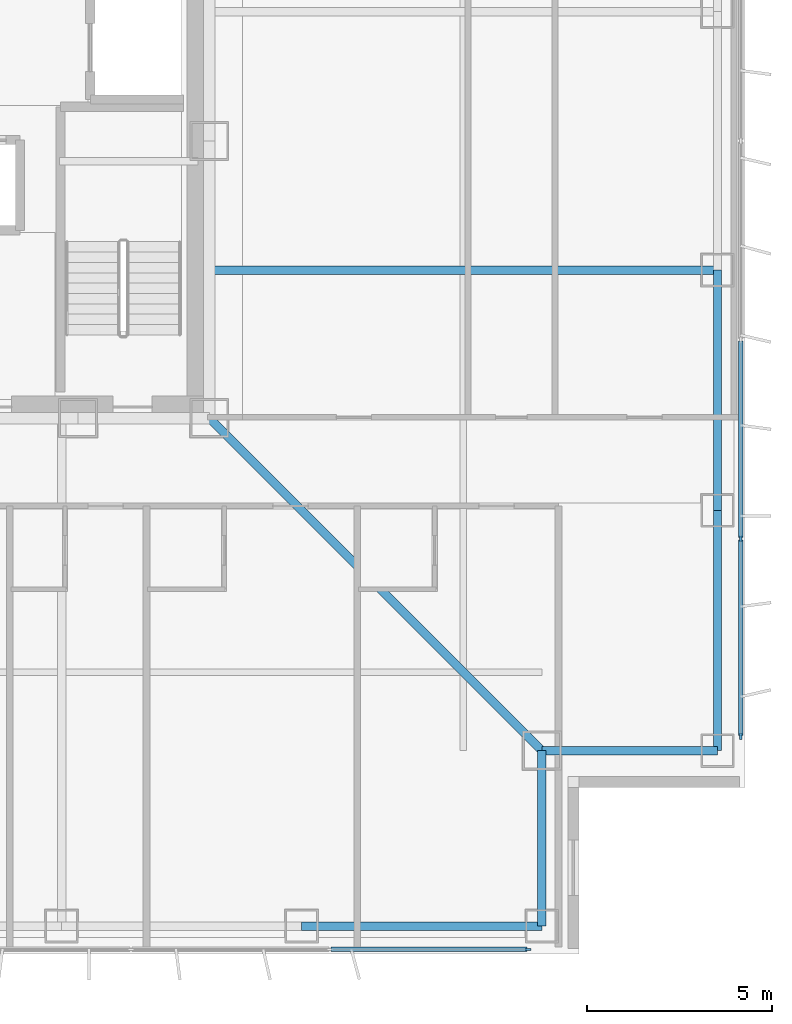
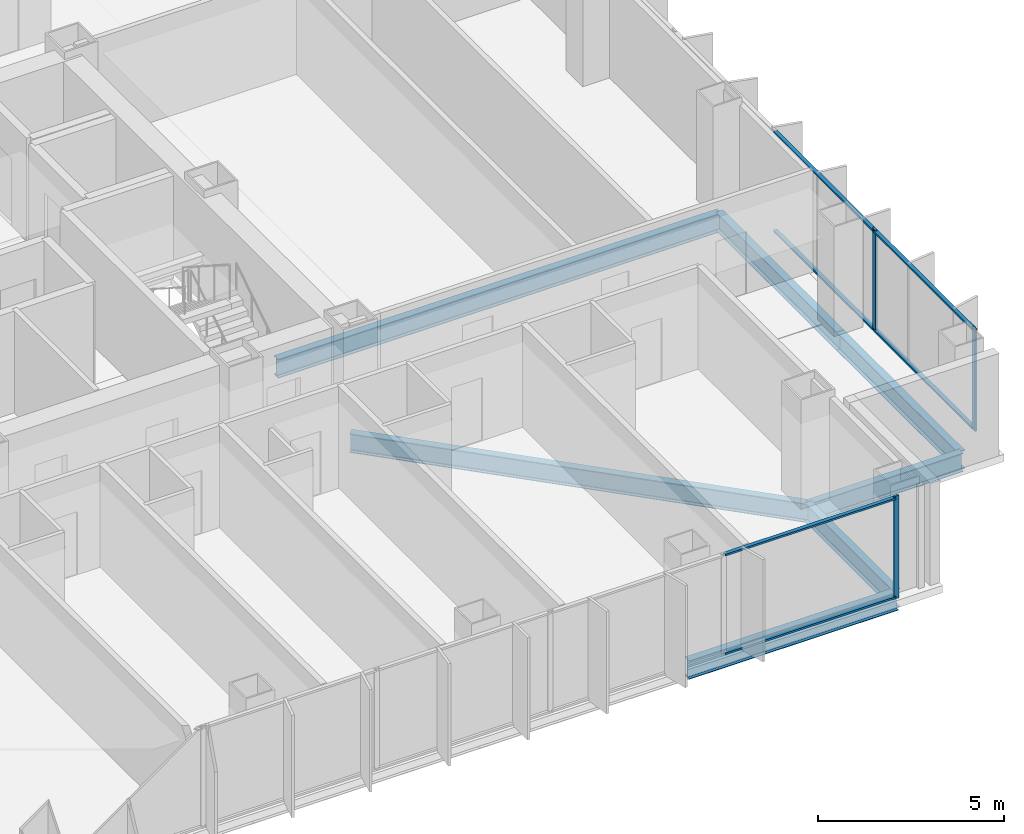
# One storey, part 7 of 18: 9 members, 7 beams, 2 elements without a shape of their own.
"""IFC4 building model written with IfcOpenShell, lengths in metres."""

from ifc_helpers import new_model, si_unit, direction, frame, origin, origin_2d, place, context, subcontext, project, spatial, rectangle, i_section, extrude, material, layer, layer_set, material_profile, profile_set, type_object, element, aggregate, save


model = new_model("IFC4")

# Units and contexts
model_context = context("Model", 3, precision=1e-05, world=origin(), true_north=direction((0.0, 1.0)))
body_context = subcontext(model_context, "Body", "Model", "MODEL_VIEW")
ifc_project = project(units=[si_unit("LENGTHUNIT", "METRE"), si_unit("AREAUNIT", "SQUARE_METRE"), si_unit("VOLUMEUNIT", "CUBIC_METRE"), si_unit("PLANEANGLEUNIT", "RADIAN"), si_unit("MASSUNIT", "GRAM", prefix="KILO")], contexts=[model_context])

# Site, building, storey
site_placement = place(None, origin())
site = spatial("IfcSite", under=ifc_project, at=site_placement, CompositionType="ELEMENT")
building_placement = place(site_placement, origin())
building = spatial("IfcBuilding", under=site, at=building_placement, Name="Trevonay Congress Spire", CompositionType="ELEMENT")
storey_placement = place(building_placement, frame((0.0, 0.0, 148.0)))
storey = spatial("IfcBuildingStorey", under=building, at=storey_placement, Name="L38", CompositionType="ELEMENT", Elevation=148.0)

# Beams
ifc_material_1 = material(Name="Steel ASTM A572 Grade 50", Category="steel")
ifc_material_profile_1 = material_profile(ifc_material_1, i_section(OverallWidth=0.22998046875, OverallDepth=0.616943359375, WebThickness=0.01318359375, FlangeThickness=0.022216796875, FilletRadius=0.01611328125, at=origin_2d()), Name="W610x140")
ifc_profile_set_1 = profile_set([ifc_material_profile_1], Name="Steel ASTM A572 Grade 50")
beam_type_1 = type_object("IfcBeamType", Name="BM-GIRD-W610X140", PredefinedType="BEAM", material=ifc_profile_set_1)
beam_1_placement = place(storey_placement, frame((7.5, -7.5, -0.548583984375), z_axis=(0.707106781187, -0.707106781187, 0.0), x_axis=(0.707106781187, 0.707106781187, 0.0)))
element("IfcBeam", 1, at=beam_1_placement, inside=storey, type_object=beam_type_1, Name="L38 structural beam BM-L38-CDSE", PredefinedType="BEAM", context=body_context, shape_type="SweptSolid", body=[
    extrude(i_section(OverallWidth=0.22998046875, OverallDepth=0.616943359375, WebThickness=0.01318359375, FlangeThickness=0.022216796875, FilletRadius=0.01611328125, at=origin_2d()), origin(), (0.0, 0.0, 1.0), 12.72802734375),
])
beam_2_placement = place(storey_placement, frame((7.5, -3.5, -0.548583984375), z_axis=(1.0, 0.0, 0.0), x_axis=(0.0, 1.0, 0.0)))
element("IfcBeam", 2, at=beam_2_placement, inside=storey, type_object=beam_type_1, Name="L38 structural beam BM-L38-GE-M", PredefinedType="BEAM", context=body_context, shape_type="SweptSolid", body=[
    extrude(i_section(OverallWidth=0.22998046875, OverallDepth=0.616943359375, WebThickness=0.01318359375, FlangeThickness=0.022216796875, FilletRadius=0.01611328125, at=origin_2d()), origin(), (0.0, 0.0, 1.0), 13.75),
])
ifc_material_profile_2 = material_profile(ifc_material_1, i_section(OverallWidth=0.22802734375, OverallDepth=0.60791015625, WebThickness=0.01123046875, FlangeThickness=0.017333984375, FilletRadius=0.01611328125, at=origin_2d()), Name="W610x113")
ifc_profile_set_2 = profile_set([ifc_material_profile_2], Name="Steel ASTM A572 Grade 50")
beam_type_2 = type_object("IfcBeamType", Name="BM-RING-W610X113", PredefinedType="BEAM", material=ifc_profile_set_2)
for number, where, z_axis, x_axis, name in (
    (3, (21.25, -16.5, -0.5439453125), (0.0, 1.0, 0.0), (-1.0, 0.0, 0.0), "L38 structural beam BM-L38-PE1"),
    (4, (21.25, -10.0, -0.5439453125), (0.0, 1.0, 0.0), (-1.0, 0.0, 0.0), "L38 structural beam BM-L38-PE2"),
    (5, (10.0, -21.25, -0.5439453125), (1.0, 0.0, 0.0), (0.0, 1.0, 0.0), "L38 structural beam BM-L38-PS5"),
):
    element("IfcBeam", number, at=place(storey_placement, frame(where, z_axis=z_axis, x_axis=x_axis)), inside=storey, type_object=beam_type_2, Name=name, PredefinedType="BEAM", context=body_context, shape_type="SweptSolid", body=[
        extrude(i_section(OverallWidth=0.22802734375, OverallDepth=0.60791015625, WebThickness=0.01123046875, FlangeThickness=0.017333984375, FilletRadius=0.01611328125, at=origin_2d()), origin(), (0.0, 0.0, 1.0), 6.5),
    ])
for number, where, z_axis, x_axis, name in (
    (6, (16.5, -21.25, -0.5439453125), (0.0, 1.0, 0.0), (-1.0, 0.0, 0.0), "L38 structural beam BM-L38-N1SE"),
    (7, (21.25, -16.5, -0.5439453125), (-1.0, 0.0, 0.0), (0.0, -1.0, 0.0), "L38 structural beam BM-L38-N2SE"),
):
    element("IfcBeam", number, at=place(storey_placement, frame(where, z_axis=z_axis, x_axis=x_axis)), inside=storey, type_object=beam_type_2, Name=name, PredefinedType="BEAM", context=body_context, shape_type="SweptSolid", body=[
        extrude(i_section(OverallWidth=0.22802734375, OverallDepth=0.60791015625, WebThickness=0.01123046875, FlangeThickness=0.017333984375, FilletRadius=0.01611328125, at=origin_2d()), origin(), (0.0, 0.0, 1.0), 4.75),
    ])

# Curtain wall, member
ifc_material_2 = material(Name="Pale Anodised Aluminium EN AW-6063-T6", Category="aluminium")
ifc_layer = layer(ifc_material_2, 0.175048828125, Name="Pale Anodised Aluminium EN AW-6063-T6")
ifc_layer_set = layer_set([ifc_layer], Name="Pale Anodised Aluminium EN AW-6063-T6")
curtain_wall_type = type_object("IfcCurtainWallType", Name="CW-SYS03-CONGRESS-PALE-METAL", PredefinedType="NOTDEFINED", material=ifc_layer_set)
curtain_wall_1_placement = place(storey_placement, origin())
curtain_wall_1 = element("IfcCurtainWall", 8, at=curtain_wall_1_placement, inside=storey, type_object=curtain_wall_type, Name="L38 S unitised curtain wall", PredefinedType="NOTDEFINED")
ifc_material_profile_3 = material_profile(ifc_material_2, rectangle(XDim=0.06005859375, YDim=0.159912109375, at=origin_2d()), Name="CW-MULLION-160-ALUMINIUM")
ifc_profile_set_3 = profile_set([ifc_material_profile_3], Name="Pale Anodised Aluminium EN AW-6063-T6")
member_type_1 = type_object("IfcMemberType", Name="CW-MULLION-160-ALUMINIUM", PredefinedType="MULLION", material=ifc_profile_set_3)
member_1_placement = place(storey_placement, frame((16.1201171875, -21.8798828125, 0.0), z_axis=(0.0, 0.0, 1.0), x_axis=(0.0, 1.0, 0.0)))
member_1 = element("IfcMember", 9, at=member_1_placement, type_object=member_type_1, Name="CW03 mullion 7", PredefinedType="MULLION", context=body_context, shape_type="SweptSolid", body=[
    extrude(rectangle(XDim=0.06005859375, YDim=0.159912109375, at=origin_2d()), origin(), (0.0, 0.0, 1.0), 3.360107421875),
])

# Curtain wall, members
curtain_wall_2_placement = place(storey_placement, origin())
curtain_wall_2 = element("IfcCurtainWall", 10, at=curtain_wall_2_placement, inside=storey, type_object=curtain_wall_type, Name="L38 E unitised curtain wall", PredefinedType="NOTDEFINED")
member_2_placement = place(storey_placement, frame((21.8798828125, -16.1201171875, 0.0), z_axis=(0.0, 0.0, 1.0), x_axis=(-1.0, 0.0, 0.0)))
member_2 = element("IfcMember", 11, at=member_2_placement, type_object=member_type_1, Name="CW03 mullion 1", PredefinedType="MULLION", context=body_context, shape_type="SweptSolid", body=[
    extrude(rectangle(XDim=0.06005859375, YDim=0.159912109375, at=origin_2d()), origin(), (0.0, 0.0, 1.0), 3.360107421875),
])
member_3_placement = place(storey_placement, frame((21.8798828125, -10.7666015625, 0.0), z_axis=(0.0, 0.0, 1.0), x_axis=(-1.0, 0.0, 0.0)))
member_3 = element("IfcMember", 12, at=member_3_placement, type_object=member_type_1, Name="CW03 mullion 2", PredefinedType="MULLION", context=body_context, shape_type="SweptSolid", body=[
    extrude(rectangle(XDim=0.06005859375, YDim=0.159912109375, at=origin_2d()), origin(), (0.0, 0.0, 1.0), 3.360107421875),
])

# Member
ifc_material_profile_4 = material_profile(ifc_material_2, rectangle(XDim=0.1201171875, YDim=0.06005859375, at=origin_2d()), Name="CW-TRANSOM-120-ALUMINIUM")
ifc_profile_set_4 = profile_set([ifc_material_profile_4], Name="Pale Anodised Aluminium EN AW-6063-T6")
member_type_2 = type_object("IfcMemberType", Name="CW-TRANSOM-120-ALUMINIUM", PredefinedType="USERDEFINED", material=ifc_profile_set_4)
member_4_placement = place(storey_placement, frame((10.796630859375, -21.8798828125, 0.06005859375), z_axis=(1.0, 0.0, 0.0), x_axis=(0.0, 1.0, 0.0)))
member_4 = element("IfcMember", 13, at=member_4_placement, type_object=member_type_2, Name="CW03 transom 6.1", ObjectType="TRANSOM", PredefinedType="USERDEFINED", context=body_context, shape_type="SweptSolid", body=[
    extrude(rectangle(XDim=0.1201171875, YDim=0.06005859375, at=origin_2d()), origin(), (0.0, 0.0, 1.0), 5.29345703125),
])

member_5_placement = place(storey_placement, frame((10.796630859375, -21.8798828125, 3.300048828125), z_axis=(1.0, 0.0, 0.0), x_axis=(0.0, 1.0, 0.0)))
member_5 = element("IfcMember", 14, at=member_5_placement, type_object=member_type_2, Name="CW03 transom 6.2", ObjectType="TRANSOM", PredefinedType="USERDEFINED", context=body_context, shape_type="SweptSolid", body=[
    extrude(rectangle(XDim=0.1201171875, YDim=0.06005859375, at=origin_2d()), origin(), (0.0, 0.0, 1.0), 5.29345703125),
])

aggregate(curtain_wall_1, [member_1, member_4, member_5])

member_6_placement = place(storey_placement, frame((21.8798828125, -16.090087890625, 0.06005859375), z_axis=(0.0, 1.0, 0.0), x_axis=(-1.0, 0.0, 0.0)))
member_6 = element("IfcMember", 15, at=member_6_placement, type_object=member_type_2, Name="CW03 transom 1.1", ObjectType="TRANSOM", PredefinedType="USERDEFINED", context=body_context, shape_type="SweptSolid", body=[
    extrude(rectangle(XDim=0.1201171875, YDim=0.06005859375, at=origin_2d()), origin(), (0.0, 0.0, 1.0), 5.29345703125),
])

member_7_placement = place(storey_placement, frame((21.8798828125, -16.090087890625, 3.300048828125), z_axis=(0.0, 1.0, 0.0), x_axis=(-1.0, 0.0, 0.0)))
member_7 = element("IfcMember", 16, at=member_7_placement, type_object=member_type_2, Name="CW03 transom 1.2", ObjectType="TRANSOM", PredefinedType="USERDEFINED", context=body_context, shape_type="SweptSolid", body=[
    extrude(rectangle(XDim=0.1201171875, YDim=0.06005859375, at=origin_2d()), origin(), (0.0, 0.0, 1.0), 5.29345703125),
])

member_8_placement = place(storey_placement, frame((21.8798828125, -10.736572265625, 0.06005859375), z_axis=(0.0, 1.0, 0.0), x_axis=(-1.0, 0.0, 0.0)))
member_8 = element("IfcMember", 17, at=member_8_placement, type_object=member_type_2, Name="CW03 transom 2.1", ObjectType="TRANSOM", PredefinedType="USERDEFINED", context=body_context, shape_type="SweptSolid", body=[
    extrude(rectangle(XDim=0.1201171875, YDim=0.06005859375, at=origin_2d()), origin(), (0.0, 0.0, 1.0), 5.3232421875),
])

member_9_placement = place(storey_placement, frame((21.8798828125, -10.736572265625, 3.300048828125), z_axis=(0.0, 1.0, 0.0), x_axis=(-1.0, 0.0, 0.0)))
member_9 = element("IfcMember", 18, at=member_9_placement, type_object=member_type_2, Name="CW03 transom 2.2", ObjectType="TRANSOM", PredefinedType="USERDEFINED", context=body_context, shape_type="SweptSolid", body=[
    extrude(rectangle(XDim=0.1201171875, YDim=0.06005859375, at=origin_2d()), origin(), (0.0, 0.0, 1.0), 5.3232421875),
])

aggregate(curtain_wall_2, [member_2, member_3, member_6, member_7, member_8, member_9])

save(model, "model.ifc")
